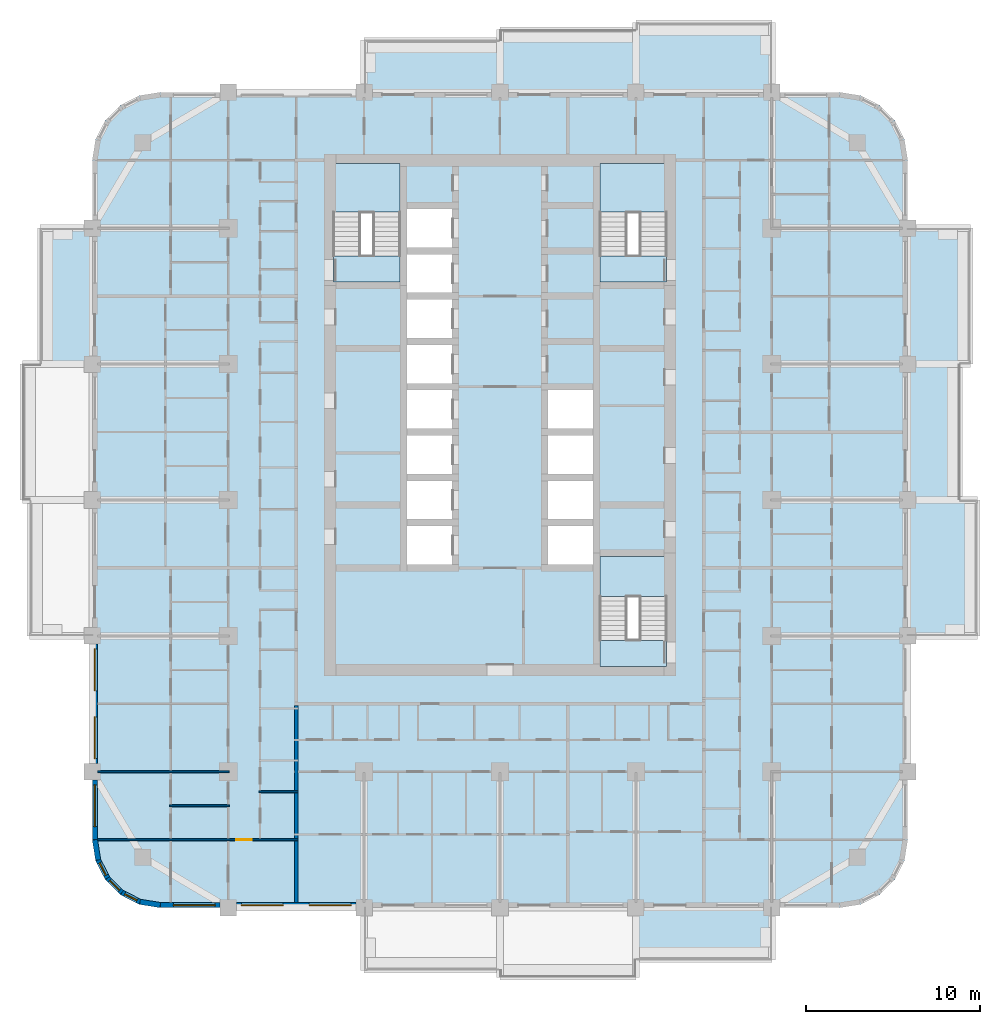
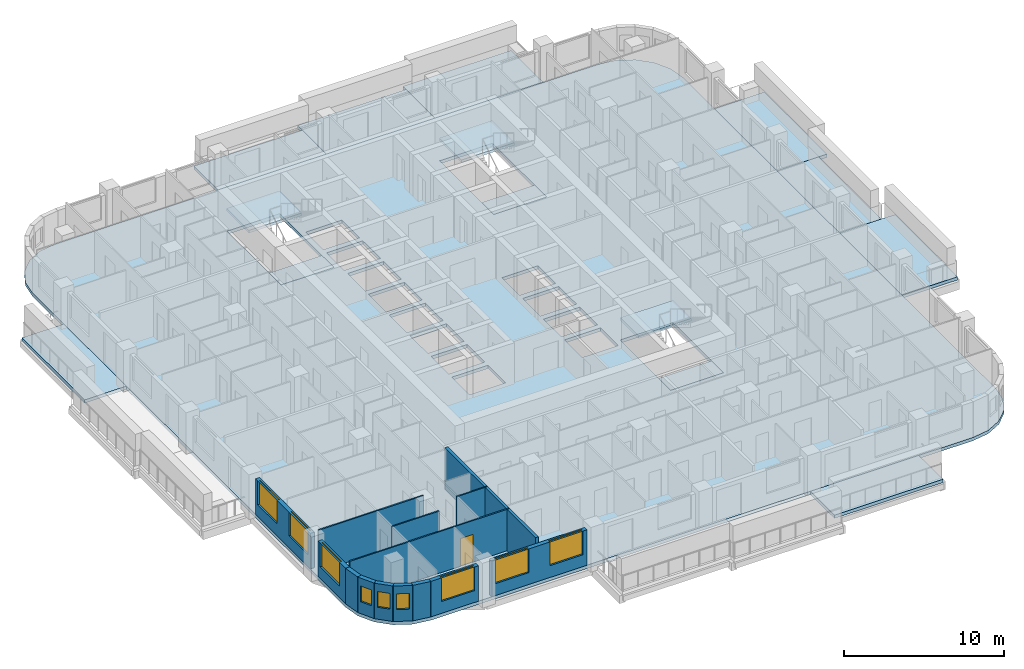
# One storey, part 2 of 17: 15 slabs, 14 walls, 9 windows, 1 door, 10 openings, 3 elements without a shape of their own.
"""IFC4 building model written with IfcOpenShell, lengths in metres."""

from ifc_helpers import new_model, si_unit, direction, frame, frame_2d, origin, place, context, subcontext, project, spatial, polyline, rectangle, outline, extrude, material, layer, layer_set, type_object, element, fill, aggregate, save


model = new_model("IFC4")

# Units and contexts
model_context = context("Model", 3, precision=1e-05, world=origin(), true_north=direction((0.0, 1.0)))
body_context = subcontext(model_context, "Body", "Model", "MODEL_VIEW")
ifc_project = project(units=[si_unit("LENGTHUNIT", "METRE"), si_unit("AREAUNIT", "SQUARE_METRE"), si_unit("VOLUMEUNIT", "CUBIC_METRE"), si_unit("PLANEANGLEUNIT", "RADIAN"), si_unit("MASSUNIT", "GRAM", prefix="KILO")], contexts=[model_context])

# Site, building, storey
site_placement = place(None, origin())
site = spatial("IfcSite", under=ifc_project, at=site_placement, CompositionType="ELEMENT")
building_placement = place(site_placement, origin())
building = spatial("IfcBuilding", under=site, at=building_placement, Name="Ludao Terraces", CompositionType="ELEMENT")
storey_placement = place(building_placement, frame((0.0, 0.0, 85.199951171875)))
storey = spatial("IfcBuildingStorey", under=building, at=storey_placement, Name="L23", CompositionType="ELEMENT", Elevation=85.199951171875)

# Slabs
ifc_material_1 = material(Name="Concrete C40", Category="concrete")
ifc_layer_1 = layer(ifc_material_1, 0.25)
ifc_layer_set_1 = layer_set([ifc_layer_1], Name="Balcony slab 250 C40")
slab_type_1 = type_object("IfcSlabType", Name="Balcony slab 250 C40", PredefinedType="USERDEFINED", material=ifc_layer_set_1)
slab_1_placement = place(storey_placement, frame((0.0, 0.0, -0.25)))
element("IfcSlab", 1, at=slab_1_placement, inside=storey, type_object=slab_type_1, Name="Balcony L23 S4", ObjectType="BALCONY", PredefinedType="USERDEFINED", context=body_context, shape_type="SweptSolid", body=[
    extrude(outline(polyline([(92.800048828125, 38.60009765625), (100.60009765625, 38.60009765625), (100.60009765625, 41.60009765625), (92.800048828125, 41.60009765625), (92.800048828125, 38.60009765625)])), origin(), (0.0, 0.0, 1.0), 0.25),
])
slab_2_placement = place(storey_placement, frame((0.0, 0.0, -0.25)))
element("IfcSlab", 2, at=slab_2_placement, inside=storey, type_object=slab_type_1, Name="Balcony L23 E2", ObjectType="BALCONY", PredefinedType="USERDEFINED", context=body_context, shape_type="SweptSolid", body=[
    extrude(outline(polyline([(108.39990234375, 57.199951171875), (112.39990234375, 57.199951171875), (112.39990234375, 65.0), (108.39990234375, 65.0), (108.39990234375, 57.199951171875)])), origin(), (0.0, 0.0, 1.0), 0.25),
])
slab_3_placement = place(storey_placement, frame((0.0, 0.0, -0.25)))
element("IfcSlab", 3, at=slab_3_placement, inside=storey, type_object=slab_type_1, Name="Balcony L23 E3", ObjectType="BALCONY", PredefinedType="USERDEFINED", context=body_context, shape_type="SweptSolid", body=[
    extrude(outline(polyline([(108.39990234375, 65.0), (111.39990234375, 65.0), (111.39990234375, 72.800048828125), (108.39990234375, 72.800048828125), (108.39990234375, 65.0)])), origin(), (0.0, 0.0, 1.0), 0.25),
])
slab_4_placement = place(storey_placement, frame((0.0, 0.0, -0.25)))
element("IfcSlab", 4, at=slab_4_placement, inside=storey, type_object=slab_type_1, Name="Balcony L23 E4", ObjectType="BALCONY", PredefinedType="USERDEFINED", context=body_context, shape_type="SweptSolid", body=[
    extrude(outline(polyline([(108.39990234375, 72.800048828125), (112.0, 72.800048828125), (112.0, 80.60009765625), (108.39990234375, 80.60009765625), (108.39990234375, 72.800048828125)])), origin(), (0.0, 0.0, 1.0), 0.25),
])
slab_5_placement = place(storey_placement, frame((0.0, 0.0, -0.25)))
element("IfcSlab", 5, at=slab_5_placement, inside=storey, type_object=slab_type_1, Name="Balcony L23 N2", ObjectType="BALCONY", PredefinedType="USERDEFINED", context=body_context, shape_type="SweptSolid", body=[
    extrude(outline(polyline([(77.199951171875, 88.39990234375), (85.0, 88.39990234375), (85.0, 91.39990234375), (77.199951171875, 91.39990234375), (77.199951171875, 88.39990234375)])), origin(), (0.0, 0.0, 1.0), 0.25),
])
slab_6_placement = place(storey_placement, frame((0.0, 0.0, -0.25)))
element("IfcSlab", 6, at=slab_6_placement, inside=storey, type_object=slab_type_1, Name="Balcony L23 N3", ObjectType="BALCONY", PredefinedType="USERDEFINED", context=body_context, shape_type="SweptSolid", body=[
    extrude(outline(polyline([(85.0, 88.39990234375), (92.800048828125, 88.39990234375), (92.800048828125, 92.0), (85.0, 92.0), (85.0, 88.39990234375)])), origin(), (0.0, 0.0, 1.0), 0.25),
])
slab_7_placement = place(storey_placement, frame((0.0, 0.0, -0.25)))
element("IfcSlab", 7, at=slab_7_placement, inside=storey, type_object=slab_type_1, Name="Balcony L23 N4", ObjectType="BALCONY", PredefinedType="USERDEFINED", context=body_context, shape_type="SweptSolid", body=[
    extrude(outline(polyline([(92.800048828125, 88.39990234375), (100.60009765625, 88.39990234375), (100.60009765625, 92.39990234375), (92.800048828125, 92.39990234375), (92.800048828125, 88.39990234375)])), origin(), (0.0, 0.0, 1.0), 0.25),
])
slab_8_placement = place(storey_placement, frame((0.0, 0.0, -0.25)))
element("IfcSlab", 8, at=slab_8_placement, inside=storey, type_object=slab_type_1, Name="Balcony L23 W4", ObjectType="BALCONY", PredefinedType="USERDEFINED", context=body_context, shape_type="SweptSolid", body=[
    extrude(outline(polyline([(58.60009765625, 72.800048828125), (61.60009765625, 72.800048828125), (61.60009765625, 80.60009765625), (58.60009765625, 80.60009765625), (58.60009765625, 72.800048828125)])), origin(), (0.0, 0.0, 1.0), 0.25),
])
ifc_layer_2 = layer(ifc_material_1, 0.25)
ifc_layer_set_2 = layer_set([ifc_layer_2], Name="Floor slab 250 C40")
slab_type_2 = type_object("IfcSlabType", Name="Floor slab 250 C40", PredefinedType="FLOOR", material=ifc_layer_set_2)
slab_9_placement = place(storey_placement, frame((0.0, 0.0, -0.25)))
element("IfcSlab", 9, at=slab_9_placement, inside=storey, type_object=slab_type_2, Name="Slab L23", PredefinedType="FLOOR", context=body_context, shape_type="SweptSolid", body=[
    extrude(outline(polyline([(104.5, 41.60009765625), (105.705078125, 41.790771484375), (106.79248046875, 42.3447265625), (107.6552734375, 43.20751953125), (108.209228515625, 44.294921875), (108.39990234375, 45.5), (108.39990234375, 84.5), (108.209228515625, 85.705078125), (107.6552734375, 86.79248046875), (106.79248046875, 87.6552734375), (105.705078125, 88.209228515625), (104.5, 88.39990234375), (65.5, 88.39990234375), (64.294921875, 88.209228515625), (63.20751953125, 87.6552734375), (62.3447265625, 86.79248046875), (61.790771484375, 85.705078125), (61.60009765625, 84.5), (61.60009765625, 45.5), (61.790771484375, 44.294921875), (62.3447265625, 43.20751953125), (63.20751953125, 42.3447265625), (64.294921875, 41.790771484375), (65.5, 41.60009765625), (104.5, 41.60009765625)]), holes=[polyline([(79.64990234375, 61.300048828125), (82.25, 61.300048828125), (82.25, 63.5), (79.64990234375, 63.5), (79.64990234375, 61.300048828125)]), polyline([(79.64990234375, 63.89990234375), (82.25, 63.89990234375), (82.25, 66.10009765625), (79.64990234375, 66.10009765625), (79.64990234375, 63.89990234375)]), polyline([(79.64990234375, 66.5), (82.25, 66.5), (82.25, 68.699951171875), (79.64990234375, 68.699951171875), (79.64990234375, 66.5)]), polyline([(79.64990234375, 69.10009765625), (82.25, 69.10009765625), (82.25, 71.300048828125), (79.64990234375, 71.300048828125), (79.64990234375, 69.10009765625)]), polyline([(79.64990234375, 71.699951171875), (82.25, 71.699951171875), (82.25, 73.89990234375), (79.64990234375, 73.89990234375), (79.64990234375, 71.699951171875)]), polyline([(79.64990234375, 74.300048828125), (82.25, 74.300048828125), (82.25, 76.5), (79.64990234375, 76.5), (79.64990234375, 74.300048828125)]), polyline([(79.64990234375, 76.89990234375), (82.25, 76.89990234375), (82.25, 79.10009765625), (79.64990234375, 79.10009765625), (79.64990234375, 76.89990234375)]), polyline([(79.64990234375, 79.5), (82.25, 79.5), (82.25, 81.699951171875), (79.64990234375, 81.699951171875), (79.64990234375, 79.5)]), polyline([(87.75, 61.300048828125), (90.35009765625, 61.300048828125), (90.35009765625, 63.5), (87.75, 63.5), (87.75, 61.300048828125)]), polyline([(87.75, 63.89990234375), (90.35009765625, 63.89990234375), (90.35009765625, 66.10009765625), (87.75, 66.10009765625), (87.75, 63.89990234375)]), polyline([(87.75, 66.5), (90.35009765625, 66.5), (90.35009765625, 68.699951171875), (87.75, 68.699951171875), (87.75, 66.5)]), polyline([(87.75, 69.10009765625), (90.35009765625, 69.10009765625), (90.35009765625, 71.300048828125), (87.75, 71.300048828125), (87.75, 69.10009765625)]), polyline([(75.449951171875, 77.5), (79.25, 77.5), (79.25, 84.239990234375), (75.449951171875, 84.239990234375), (75.449951171875, 77.5)]), polyline([(90.75, 77.5), (94.550048828125, 77.5), (94.550048828125, 84.239990234375), (90.75, 84.239990234375), (90.75, 77.5)]), polyline([(90.75, 55.449951171875), (94.550048828125, 55.449951171875), (94.550048828125, 61.75), (90.75, 61.75), (90.75, 55.449951171875)])]), origin(), (0.0, 0.0, 1.0), 0.25),
])

# Stair, slabs
stair_type = type_object("IfcStairType", Name="INT Stair", PredefinedType="HALF_TURN_STAIR", material=ifc_material_1)
stair_1_placement = place(storey_placement, origin())
stair_1 = element("IfcStair", 10, at=stair_1_placement, inside=storey, type_object=stair_type, Name="EXIT STAIR 1", PredefinedType="HALF_TURN_STAIR")
ifc_layer_3 = layer(ifc_material_1, 0.199951171875)
ifc_layer_set_3 = layer_set([ifc_layer_3], Name="INT Stair landing 200")
slab_type_3 = type_object("IfcSlabType", Name="INT Stair landing 200", PredefinedType="LANDING", material=ifc_layer_set_3)
slab_10_placement = place(storey_placement, frame((0.0, 0.0, 1.5)))
slab_10 = element("IfcSlab", 11, at=slab_10_placement, type_object=slab_type_3, Name="ST1 landing 1", PredefinedType="LANDING", context=body_context, shape_type="SweptSolid", body=[
    extrude(outline(polyline([(75.449951171875, 81.52001953125), (79.25, 81.52001953125), (79.25, 84.300048828125), (75.449951171875, 84.300048828125), (75.449951171875, 81.52001953125)])), origin(), (0.0, 0.0, 1.0), 0.199951171875),
])
slab_11_placement = place(storey_placement, frame((0.0, 0.0, -0.199951171875)))
slab_11 = element("IfcSlab", 12, at=slab_11_placement, type_object=slab_type_3, Name="ST1 landing 2", PredefinedType="LANDING", context=body_context, shape_type="SweptSolid", body=[
    extrude(outline(polyline([(75.449951171875, 77.5), (79.25, 77.5), (79.25, 79.0), (75.449951171875, 79.0), (75.449951171875, 77.5)])), origin(), (0.0, 0.0, 1.0), 0.199951171875),
])
aggregate(stair_1, [slab_10, slab_11])

stair_2_placement = place(storey_placement, origin())
stair_2 = element("IfcStair", 13, at=stair_2_placement, inside=storey, type_object=stair_type, Name="EXIT STAIR 2", PredefinedType="HALF_TURN_STAIR")
slab_12_placement = place(storey_placement, frame((0.0, 0.0, 1.5)))
slab_12 = element("IfcSlab", 14, at=slab_12_placement, type_object=slab_type_3, Name="ST2 landing 1", PredefinedType="LANDING", context=body_context, shape_type="SweptSolid", body=[
    extrude(outline(polyline([(90.75, 81.52001953125), (94.550048828125, 81.52001953125), (94.550048828125, 84.300048828125), (90.75, 84.300048828125), (90.75, 81.52001953125)])), origin(), (0.0, 0.0, 1.0), 0.199951171875),
])
slab_13_placement = place(storey_placement, frame((0.0, 0.0, -0.199951171875)))
slab_13 = element("IfcSlab", 15, at=slab_13_placement, type_object=slab_type_3, Name="ST2 landing 2", PredefinedType="LANDING", context=body_context, shape_type="SweptSolid", body=[
    extrude(outline(polyline([(90.75, 77.5), (94.550048828125, 77.5), (94.550048828125, 79.0), (90.75, 79.0), (90.75, 77.5)])), origin(), (0.0, 0.0, 1.0), 0.199951171875),
])
aggregate(stair_2, [slab_12, slab_13])

stair_3_placement = place(storey_placement, origin())
stair_3 = element("IfcStair", 16, at=stair_3_placement, inside=storey, type_object=stair_type, Name="EXIT STAIR 3", PredefinedType="HALF_TURN_STAIR")
slab_14_placement = place(storey_placement, frame((0.0, 0.0, 1.5)))
slab_14 = element("IfcSlab", 17, at=slab_14_placement, type_object=slab_type_3, Name="ST3 landing 1", PredefinedType="LANDING", context=body_context, shape_type="SweptSolid", body=[
    extrude(outline(polyline([(90.75, 59.469970703125), (94.550048828125, 59.469970703125), (94.550048828125, 61.75), (90.75, 61.75), (90.75, 59.469970703125)])), origin(), (0.0, 0.0, 1.0), 0.199951171875),
])
slab_15_placement = place(storey_placement, frame((0.0, 0.0, -0.199951171875)))
slab_15 = element("IfcSlab", 18, at=slab_15_placement, type_object=slab_type_3, Name="ST3 landing 2", PredefinedType="LANDING", context=body_context, shape_type="SweptSolid", body=[
    extrude(outline(polyline([(90.75, 55.449951171875), (94.550048828125, 55.449951171875), (94.550048828125, 56.949951171875), (90.75, 56.949951171875), (90.75, 55.449951171875)])), origin(), (0.0, 0.0, 1.0), 0.199951171875),
])
aggregate(stair_3, [slab_14, slab_15])

# Wall, opening, window
ifc_material_2 = material(Name="Granite cladding", Category="masonry")
ifc_layer_4 = layer(ifc_material_2, 0.0400390625, Category="stone")
ifc_material_3 = material(Name="Mineral wool")
ifc_layer_5 = layer(ifc_material_3, 0.06005859375)
ifc_layer_6 = layer(ifc_material_1, 0.199951171875, Category="concrete")
ifc_layer_set_4 = layer_set([ifc_layer_4, ifc_layer_5, ifc_layer_6], Name="ENV Stone-clad wall 300")
wall_type_1 = type_object("IfcWallType", Name="ENV Stone-clad wall 300", PredefinedType="SOLIDWALL", material=ifc_layer_set_4)
wall_1_placement = place(storey_placement, frame((65.5, 41.75, 0.0), z_axis=(0.0, 0.0, 1.0), x_axis=(1.0, 0.0, 0.0)))
wall_1 = element("IfcWall", 19, at=wall_1_placement, inside=storey, type_object=wall_type_1, Name="EW-L23-S1", PredefinedType="SOLIDWALL", context=body_context, shape_type="SweptSolid", body=[
    extrude(rectangle(XDim=3.425048828125, YDim=0.300048828125, at=frame_2d((1.71240234375, 0.0))), origin(), (0.0, 0.0, 1.0), 2.699951171875),
])
opening_1_placement = place(wall_1_placement, frame((0.75, 0.0, 0.89990234375)))
opening_1 = element("IfcOpeningElement", 20, at=opening_1_placement, cuts=wall_1, Name="Opening W1", PredefinedType="OPENING", context=body_context, shape_type="SweptSolid", body=[
    extrude(rectangle(XDim=2.39990234375, YDim=1.800048828125, at=frame_2d((1.199951171875, 0.89990234375))), frame((0.0, 0.16015625, 0.0), z_axis=(0.0, -1.0, 0.0), x_axis=(1.0, 0.0, 0.0)), (0.0, 0.0, 1.0), 0.320068359375),
])
ifc_material_4 = material(Name="Clear glass in aluminium frame", Category="aluminium")
ifc_layer_7 = layer(ifc_material_4, 0.06005859375)
ifc_layer_set_5 = layer_set([ifc_layer_7], Name="ENV Window W1 2400x1800")
window_type_1 = type_object("IfcWindowType", Name="ENV Window W1 2400x1800", PartitioningType="DOUBLE_PANEL_VERTICAL", PredefinedType="WINDOW", material=ifc_layer_set_5)
window_1_placement = place(opening_1_placement, origin())
window_1 = element("IfcWindow", 21, at=window_1_placement, inside=storey, type_object=window_type_1, Name="W-L23-S1-1", OverallHeight=1.800048828125, OverallWidth=2.39990234375, PartitioningType="DOUBLE_PANEL_VERTICAL", PredefinedType="WINDOW", context=body_context, shape_type="SweptSolid", body=[
    extrude(rectangle(XDim=2.39990234375, YDim=1.800048828125, at=frame_2d((1.199951171875, 0.89990234375))), frame((0.0, 0.030029296875, 0.0), z_axis=(0.0, -1.0, 0.0), x_axis=(1.0, 0.0, 0.0)), (0.0, 0.0, 1.0), 0.06005859375),
])
fill(opening_1, window_1)

# Wall, openings, windows
wall_2_placement = place(storey_placement, frame((69.875, 41.75, 0.0), z_axis=(0.0, 0.0, 1.0), x_axis=(1.0, 0.0, 0.0)))
wall_2 = element("IfcWall", 22, at=wall_2_placement, inside=storey, type_object=wall_type_1, Name="EW-L23-S2", PredefinedType="SOLIDWALL", context=body_context, shape_type="SweptSolid", body=[
    extrude(rectangle(XDim=6.85009765625, YDim=0.300048828125, at=frame_2d((3.425048828125, 0.0))), origin(), (0.0, 0.0, 1.0), 2.699951171875),
])
opening_2_placement = place(wall_2_placement, frame((0.27490234375, 0.0, 0.89990234375)))
opening_2 = element("IfcOpeningElement", 23, at=opening_2_placement, cuts=wall_2, Name="Opening W1", PredefinedType="OPENING", context=body_context, shape_type="SweptSolid", body=[
    extrude(rectangle(XDim=2.39990234375, YDim=1.800048828125, at=frame_2d((1.199951171875, 0.89990234375))), frame((0.0, 0.16015625, 0.0), z_axis=(0.0, -1.0, 0.0), x_axis=(1.0, 0.0, 0.0)), (0.0, 0.0, 1.0), 0.320068359375),
])
opening_3_placement = place(wall_2_placement, frame((4.175048828125, 0.0, 0.89990234375)))
opening_3 = element("IfcOpeningElement", 24, at=opening_3_placement, cuts=wall_2, Name="Opening W1", PredefinedType="OPENING", context=body_context, shape_type="SweptSolid", body=[
    extrude(rectangle(XDim=2.39990234375, YDim=1.800048828125, at=frame_2d((1.199951171875, 0.89990234375))), frame((0.0, 0.16015625, 0.0), z_axis=(0.0, -1.0, 0.0), x_axis=(1.0, 0.0, 0.0)), (0.0, 0.0, 1.0), 0.320068359375),
])
window_2_placement = place(opening_2_placement, origin())
window_2 = element("IfcWindow", 25, at=window_2_placement, inside=storey, type_object=window_type_1, Name="W-L23-S2-1", OverallHeight=1.800048828125, OverallWidth=2.39990234375, PartitioningType="DOUBLE_PANEL_VERTICAL", PredefinedType="WINDOW", context=body_context, shape_type="SweptSolid", body=[
    extrude(rectangle(XDim=2.39990234375, YDim=1.800048828125, at=frame_2d((1.199951171875, 0.89990234375))), frame((0.0, 0.030029296875, 0.0), z_axis=(0.0, -1.0, 0.0), x_axis=(1.0, 0.0, 0.0)), (0.0, 0.0, 1.0), 0.06005859375),
])
fill(opening_2, window_2)
window_3_placement = place(opening_3_placement, origin())
window_3 = element("IfcWindow", 26, at=window_3_placement, inside=storey, type_object=window_type_1, Name="W-L23-S2-2", OverallHeight=1.800048828125, OverallWidth=2.39990234375, PartitioningType="DOUBLE_PANEL_VERTICAL", PredefinedType="WINDOW", context=body_context, shape_type="SweptSolid", body=[
    extrude(rectangle(XDim=2.39990234375, YDim=1.800048828125, at=frame_2d((1.199951171875, 0.89990234375))), frame((0.0, 0.030029296875, 0.0), z_axis=(0.0, -1.0, 0.0), x_axis=(1.0, 0.0, 0.0)), (0.0, 0.0, 1.0), 0.06005859375),
])
fill(opening_3, window_3)

# Wall, opening, window
wall_3_placement = place(storey_placement, frame((61.75, 45.5, 0.0), z_axis=(0.0, 0.0, 1.0), x_axis=(0.0, 1.0, 0.0)))
wall_3 = element("IfcWall", 27, at=wall_3_placement, inside=storey, type_object=wall_type_1, Name="EW-L23-W1", PredefinedType="SOLIDWALL", context=body_context, shape_type="SweptSolid", body=[
    extrude(rectangle(XDim=3.425048828125, YDim=0.300048828125, at=frame_2d((1.71240234375, 0.0))), origin(), (0.0, 0.0, 1.0), 2.699951171875),
])
opening_4_placement = place(wall_3_placement, frame((0.75, 0.0, 0.89990234375)))
opening_4 = element("IfcOpeningElement", 28, at=opening_4_placement, cuts=wall_3, Name="Opening W1", PredefinedType="OPENING", context=body_context, shape_type="SweptSolid", body=[
    extrude(rectangle(XDim=2.39990234375, YDim=1.800048828125, at=frame_2d((1.199951171875, 0.89990234375))), frame((0.0, 0.16015625, 0.0), z_axis=(0.0, -1.0, 0.0), x_axis=(1.0, 0.0, 0.0)), (0.0, 0.0, 1.0), 0.320068359375),
])
window_4_placement = place(opening_4_placement, origin())
window_4 = element("IfcWindow", 29, at=window_4_placement, inside=storey, type_object=window_type_1, Name="W-L23-W1-1", OverallHeight=1.800048828125, OverallWidth=2.39990234375, PartitioningType="DOUBLE_PANEL_VERTICAL", PredefinedType="WINDOW", context=body_context, shape_type="SweptSolid", body=[
    extrude(rectangle(XDim=2.39990234375, YDim=1.800048828125, at=frame_2d((1.199951171875, 0.89990234375))), frame((0.0, 0.030029296875, 0.0), z_axis=(0.0, -1.0, 0.0), x_axis=(1.0, 0.0, 0.0)), (0.0, 0.0, 1.0), 0.06005859375),
])
fill(opening_4, window_4)

# Wall, openings, windows
wall_4_placement = place(storey_placement, frame((61.75, 49.875, 0.0), z_axis=(0.0, 0.0, 1.0), x_axis=(0.0, 1.0, 0.0)))
wall_4 = element("IfcWall", 30, at=wall_4_placement, inside=storey, type_object=wall_type_1, Name="EW-L23-W2", PredefinedType="SOLIDWALL", context=body_context, shape_type="SweptSolid", body=[
    extrude(rectangle(XDim=6.85009765625, YDim=0.300048828125, at=frame_2d((3.425048828125, 0.0))), origin(), (0.0, 0.0, 1.0), 2.699951171875),
])
opening_5_placement = place(wall_4_placement, frame((0.27490234375, 0.0, 0.89990234375)))
opening_5 = element("IfcOpeningElement", 31, at=opening_5_placement, cuts=wall_4, Name="Opening W1", PredefinedType="OPENING", context=body_context, shape_type="SweptSolid", body=[
    extrude(rectangle(XDim=2.39990234375, YDim=1.800048828125, at=frame_2d((1.199951171875, 0.89990234375))), frame((0.0, 0.16015625, 0.0), z_axis=(0.0, -1.0, 0.0), x_axis=(1.0, 0.0, 0.0)), (0.0, 0.0, 1.0), 0.320068359375),
])
opening_6_placement = place(wall_4_placement, frame((4.175048828125, 0.0, 0.89990234375)))
opening_6 = element("IfcOpeningElement", 32, at=opening_6_placement, cuts=wall_4, Name="Opening W1", PredefinedType="OPENING", context=body_context, shape_type="SweptSolid", body=[
    extrude(rectangle(XDim=2.39990234375, YDim=1.800048828125, at=frame_2d((1.199951171875, 0.89990234375))), frame((0.0, 0.16015625, 0.0), z_axis=(0.0, -1.0, 0.0), x_axis=(1.0, 0.0, 0.0)), (0.0, 0.0, 1.0), 0.320068359375),
])
window_5_placement = place(opening_5_placement, origin())
window_5 = element("IfcWindow", 33, at=window_5_placement, inside=storey, type_object=window_type_1, Name="W-L23-W2-1", OverallHeight=1.800048828125, OverallWidth=2.39990234375, PartitioningType="DOUBLE_PANEL_VERTICAL", PredefinedType="WINDOW", context=body_context, shape_type="SweptSolid", body=[
    extrude(rectangle(XDim=2.39990234375, YDim=1.800048828125, at=frame_2d((1.199951171875, 0.89990234375))), frame((0.0, 0.030029296875, 0.0), z_axis=(0.0, -1.0, 0.0), x_axis=(1.0, 0.0, 0.0)), (0.0, 0.0, 1.0), 0.06005859375),
])
fill(opening_5, window_5)
window_6_placement = place(opening_6_placement, origin())
window_6 = element("IfcWindow", 34, at=window_6_placement, inside=storey, type_object=window_type_1, Name="W-L23-W2-2", OverallHeight=1.800048828125, OverallWidth=2.39990234375, PartitioningType="DOUBLE_PANEL_VERTICAL", PredefinedType="WINDOW", context=body_context, shape_type="SweptSolid", body=[
    extrude(rectangle(XDim=2.39990234375, YDim=1.800048828125, at=frame_2d((1.199951171875, 0.89990234375))), frame((0.0, 0.030029296875, 0.0), z_axis=(0.0, -1.0, 0.0), x_axis=(1.0, 0.0, 0.0)), (0.0, 0.0, 1.0), 0.06005859375),
])
fill(opening_6, window_6)

# Wall
wall_5_placement = place(storey_placement, frame((61.75, 45.5, 0.0), z_axis=(0.0, 0.0, 1.0), x_axis=(0.156496880861, -0.987678452879, 0.0)))
element("IfcWall", 35, at=wall_5_placement, inside=storey, type_object=wall_type_1, Name="EW-L23-SW1", PredefinedType="SOLIDWALL", context=body_context, shape_type="SweptSolid", body=[
    extrude(rectangle(XDim=1.173095703125, YDim=0.300048828125, at=frame_2d((0.58642578125, 0.0))), origin(), (0.0, 0.0, 1.0), 2.699951171875),
])

# Wall, opening, window
wall_6_placement = place(storey_placement, frame((61.93359375, 44.34130859375, 0.0), z_axis=(0.0, 0.0, 1.0), x_axis=(0.454025524128, -0.890988677504, 0.0)))
wall_6 = element("IfcWall", 36, at=wall_6_placement, inside=storey, type_object=wall_type_1, Name="EW-L23-SW2", PredefinedType="SOLIDWALL", context=body_context, shape_type="SweptSolid", body=[
    extrude(rectangle(XDim=1.17333984375, YDim=0.300048828125, at=frame_2d((0.586669921875, 0.0))), origin(), (0.0, 0.0, 1.0), 2.699951171875),
])
opening_7_placement = place(wall_6_placement, frame((0.1865234375, 0.0, 0.89990234375)))
opening_7 = element("IfcOpeningElement", 37, at=opening_7_placement, cuts=wall_6, Name="Opening W3", PredefinedType="OPENING", context=body_context, shape_type="SweptSolid", body=[
    extrude(rectangle(XDim=0.800048828125, YDim=1.199951171875, at=frame_2d((0.39990234375, 0.60009765625))), frame((0.0, 0.16015625, 0.0), z_axis=(0.0, -1.0, 0.0), x_axis=(1.0, 0.0, 0.0)), (0.0, 0.0, 1.0), 0.320068359375),
])
ifc_layer_8 = layer(ifc_material_4, 0.06005859375)
ifc_layer_set_6 = layer_set([ifc_layer_8], Name="ENV Window W3 800x1200")
window_type_2 = type_object("IfcWindowType", Name="ENV Window W3 800x1200", PartitioningType="SINGLE_PANEL", PredefinedType="WINDOW", material=ifc_layer_set_6)
window_7_placement = place(opening_7_placement, origin())
window_7 = element("IfcWindow", 38, at=window_7_placement, inside=storey, type_object=window_type_2, Name="W-L23-SW2", OverallHeight=1.199951171875, OverallWidth=0.800048828125, PartitioningType="SINGLE_PANEL", PredefinedType="WINDOW", context=body_context, shape_type="SweptSolid", body=[
    extrude(rectangle(XDim=0.800048828125, YDim=1.199951171875, at=frame_2d((0.39990234375, 0.60009765625))), frame((0.0, 0.030029296875, 0.0), z_axis=(0.0, -1.0, 0.0), x_axis=(1.0, 0.0, 0.0)), (0.0, 0.0, 1.0), 0.06005859375),
])
fill(opening_7, window_7)

wall_7_placement = place(storey_placement, frame((62.46630859375, 43.2958984375, 0.0), z_axis=(0.0, 0.0, 1.0), x_axis=(0.707106781187, -0.707106781187, 0.0)))
wall_7 = element("IfcWall", 39, at=wall_7_placement, inside=storey, type_object=wall_type_1, Name="EW-L23-SW3", PredefinedType="SOLIDWALL", context=body_context, shape_type="SweptSolid", body=[
    extrude(rectangle(XDim=1.173095703125, YDim=0.300048828125, at=frame_2d((0.58642578125, 0.0))), origin(), (0.0, 0.0, 1.0), 2.699951171875),
])
opening_8_placement = place(wall_7_placement, frame((0.1865234375, 0.0, 0.89990234375)))
opening_8 = element("IfcOpeningElement", 40, at=opening_8_placement, cuts=wall_7, Name="Opening W3", PredefinedType="OPENING", context=body_context, shape_type="SweptSolid", body=[
    extrude(rectangle(XDim=0.800048828125, YDim=1.199951171875, at=frame_2d((0.39990234375, 0.60009765625))), frame((0.0, 0.16015625, 0.0), z_axis=(0.0, -1.0, 0.0), x_axis=(1.0, 0.0, 0.0)), (0.0, 0.0, 1.0), 0.320068359375),
])
window_8_placement = place(opening_8_placement, origin())
window_8 = element("IfcWindow", 41, at=window_8_placement, inside=storey, type_object=window_type_2, Name="W-L23-SW3", OverallHeight=1.199951171875, OverallWidth=0.800048828125, PartitioningType="SINGLE_PANEL", PredefinedType="WINDOW", context=body_context, shape_type="SweptSolid", body=[
    extrude(rectangle(XDim=0.800048828125, YDim=1.199951171875, at=frame_2d((0.39990234375, 0.60009765625))), frame((0.0, 0.030029296875, 0.0), z_axis=(0.0, -1.0, 0.0), x_axis=(1.0, 0.0, 0.0)), (0.0, 0.0, 1.0), 0.06005859375),
])
fill(opening_8, window_8)

wall_8_placement = place(storey_placement, frame((63.2958984375, 42.46630859375, 0.0), z_axis=(0.0, 0.0, 1.0), x_axis=(0.890988677504, -0.454025524128, 0.0)))
wall_8 = element("IfcWall", 42, at=wall_8_placement, inside=storey, type_object=wall_type_1, Name="EW-L23-SW4", PredefinedType="SOLIDWALL", context=body_context, shape_type="SweptSolid", body=[
    extrude(rectangle(XDim=1.17333984375, YDim=0.300048828125, at=frame_2d((0.586669921875, 0.0))), origin(), (0.0, 0.0, 1.0), 2.699951171875),
])
opening_9_placement = place(wall_8_placement, frame((0.1865234375, 0.0, 0.89990234375)))
opening_9 = element("IfcOpeningElement", 43, at=opening_9_placement, cuts=wall_8, Name="Opening W3", PredefinedType="OPENING", context=body_context, shape_type="SweptSolid", body=[
    extrude(rectangle(XDim=0.800048828125, YDim=1.199951171875, at=frame_2d((0.39990234375, 0.60009765625))), frame((0.0, 0.16015625, 0.0), z_axis=(0.0, -1.0, 0.0), x_axis=(1.0, 0.0, 0.0)), (0.0, 0.0, 1.0), 0.320068359375),
])
window_9_placement = place(opening_9_placement, origin())
window_9 = element("IfcWindow", 44, at=window_9_placement, inside=storey, type_object=window_type_2, Name="W-L23-SW4", OverallHeight=1.199951171875, OverallWidth=0.800048828125, PartitioningType="SINGLE_PANEL", PredefinedType="WINDOW", context=body_context, shape_type="SweptSolid", body=[
    extrude(rectangle(XDim=0.800048828125, YDim=1.199951171875, at=frame_2d((0.39990234375, 0.60009765625))), frame((0.0, 0.030029296875, 0.0), z_axis=(0.0, -1.0, 0.0), x_axis=(1.0, 0.0, 0.0)), (0.0, 0.0, 1.0), 0.06005859375),
])
fill(opening_9, window_9)

# Wall
wall_9_placement = place(storey_placement, frame((64.34130859375, 41.93359375, 0.0), z_axis=(0.0, 0.0, 1.0), x_axis=(0.987678452879, -0.156496880861, 0.0)))
element("IfcWall", 45, at=wall_9_placement, inside=storey, type_object=wall_type_1, Name="EW-L23-SW5", PredefinedType="SOLIDWALL", context=body_context, shape_type="SweptSolid", body=[
    extrude(rectangle(XDim=1.173095703125, YDim=0.300048828125, at=frame_2d((0.58642578125, 0.0))), origin(), (0.0, 0.0, 1.0), 2.699951171875),
])

# Wall, opening, door
ifc_material_5 = material(Name="Gypsum plasterboard", Category="gypsum")
ifc_layer_9 = layer(ifc_material_5, 0.012451171875, Category="gypsum")
ifc_layer_10 = layer(ifc_material_3, 0.06005859375, Name="insulation")
ifc_material_6 = material(Name="Steel Q235", Category="steel")
ifc_layer_11 = layer(ifc_material_6, 0.014892578125, Name="stud")
ifc_layer_12 = layer(ifc_material_5, 0.012451171875, Category="gypsum")
ifc_layer_set_7 = layer_set([ifc_layer_9, ifc_layer_10, ifc_layer_11, ifc_layer_12], Name="INT Partition 100")
wall_type_2 = type_object("IfcWallType", Name="INT Partition 100", PredefinedType="PARTITIONING", material=ifc_layer_set_7)
wall_10_placement = place(storey_placement, frame((61.900146484375, 45.5, 0.0), z_axis=(0.0, 0.0, 1.0), x_axis=(1.0, 0.0, 0.0)))
wall_10 = element("IfcWall", 46, at=wall_10_placement, inside=storey, type_object=wall_type_2, Name="PW-L23-PW000", PredefinedType="PARTITIONING", context=body_context, shape_type="SweptSolid", body=[
    extrude(rectangle(XDim=11.5, YDim=0.10009765625, at=frame_2d((5.75, 0.0))), origin(), (0.0, 0.0, 1.0), 3.150146484375),
])
opening_10_placement = place(wall_10_placement, frame((7.965087890625, 0.0, 0.0)))
opening_10 = element("IfcOpeningElement", 47, at=opening_10_placement, cuts=wall_10, Name="Opening R07-005", PredefinedType="OPENING", context=body_context, shape_type="SweptSolid", body=[
    extrude(rectangle(XDim=0.89990234375, YDim=2.10009765625, at=frame_2d((0.449951171875, 1.050048828125))), frame((0.0, 0.06005859375, 0.0), z_axis=(0.0, -1.0, 0.0), x_axis=(1.0, 0.0, 0.0)), (0.0, 0.0, 1.0), 0.1201171875),
])
ifc_material_7 = material(Name="Timber door leaf", Category="wood")
door_type = type_object("IfcDoorType", Name="INT Room door 900", OperationType="SINGLE_SWING_LEFT", PredefinedType="DOOR", material=ifc_material_7)
door_placement = place(opening_10_placement, origin())
door = element("IfcDoor", 48, at=door_placement, inside=storey, type_object=door_type, Name="DOOR 005", OperationType="SINGLE_SWING_RIGHT", OverallHeight=2.10009765625, OverallWidth=0.89990234375, PredefinedType="DOOR", context=body_context, shape_type="SweptSolid", body=[
    extrude(rectangle(XDim=0.89990234375, YDim=2.10009765625, at=frame_2d((0.449951171875, 1.050048828125))), frame((0.0, 0.02490234375, 0.0), z_axis=(0.0, -1.0, 0.0), x_axis=(1.0, 0.0, 0.0)), (0.0, 0.0, 1.0), 0.050048828125),
])
fill(opening_10, door)

# Walls
wall_11_placement = place(storey_placement, frame((66.050048828125, 47.449951171875, 0.0), z_axis=(0.0, 0.0, 1.0), x_axis=(1.0, 0.0, 0.0)))
element("IfcWall", 49, at=wall_11_placement, inside=storey, type_object=wall_type_2, Name="PW-L23-PW005", PredefinedType="PARTITIONING", context=body_context, shape_type="SweptSolid", body=[
    extrude(rectangle(XDim=3.400146484375, YDim=0.10009765625, at=frame_2d((1.7001953125, 0.0))), origin(), (0.0, 0.0, 1.0), 3.150146484375),
])
wall_12_placement = place(storey_placement, frame((71.18017578125, 48.25, 0.0), z_axis=(0.0, 0.0, 1.0), x_axis=(1.0, 0.0, 0.0)))
element("IfcWall", 50, at=wall_12_placement, inside=storey, type_object=wall_type_2, Name="PW-L23-PW006", PredefinedType="PARTITIONING", context=body_context, shape_type="SweptSolid", body=[
    extrude(rectangle(XDim=2.219970703125, YDim=0.10009765625, at=frame_2d((1.10986328125, 0.0))), origin(), (0.0, 0.0, 1.0), 3.150146484375),
])
wall_13_placement = place(storey_placement, frame((61.900146484375, 49.39990234375, 0.0), z_axis=(0.0, 0.0, 1.0), x_axis=(1.0, 0.0, 0.0)))
element("IfcWall", 51, at=wall_13_placement, inside=storey, type_object=wall_type_2, Name="PW-L23-PW007", PredefinedType="PARTITIONING", context=body_context, shape_type="SweptSolid", body=[
    extrude(rectangle(XDim=7.550048828125, YDim=0.10009765625, at=frame_2d((3.77490234375, 0.0))), origin(), (0.0, 0.0, 1.0), 3.150146484375),
])
ifc_material_8 = material(Name="Autoclaved aerated concrete block B06 A3.5", Category="concrete")
ifc_layer_13 = layer(ifc_material_8, 0.199951171875)
ifc_layer_set_8 = layer_set([ifc_layer_13], Name="INT Party wall 200")
wall_type_3 = type_object("IfcWallType", Name="INT Party wall 200", PredefinedType="PARTITIONING", material=ifc_layer_set_8)
wall_14_placement = place(storey_placement, frame((73.300048828125, 41.900146484375, 0.0), z_axis=(0.0, 0.0, 1.0), x_axis=(0.0, 1.0, 0.0)))
element("IfcWall", 52, at=wall_14_placement, inside=storey, type_object=wall_type_3, Name="PW-L23-PW087", PredefinedType="PARTITIONING", context=body_context, shape_type="SweptSolid", body=[
    extrude(rectangle(XDim=11.300048828125, YDim=0.199951171875, at=frame_2d((5.64990234375, 0.0))), origin(), (0.0, 0.0, 1.0), 3.150146484375),
])

save(model, "model.ifc")
